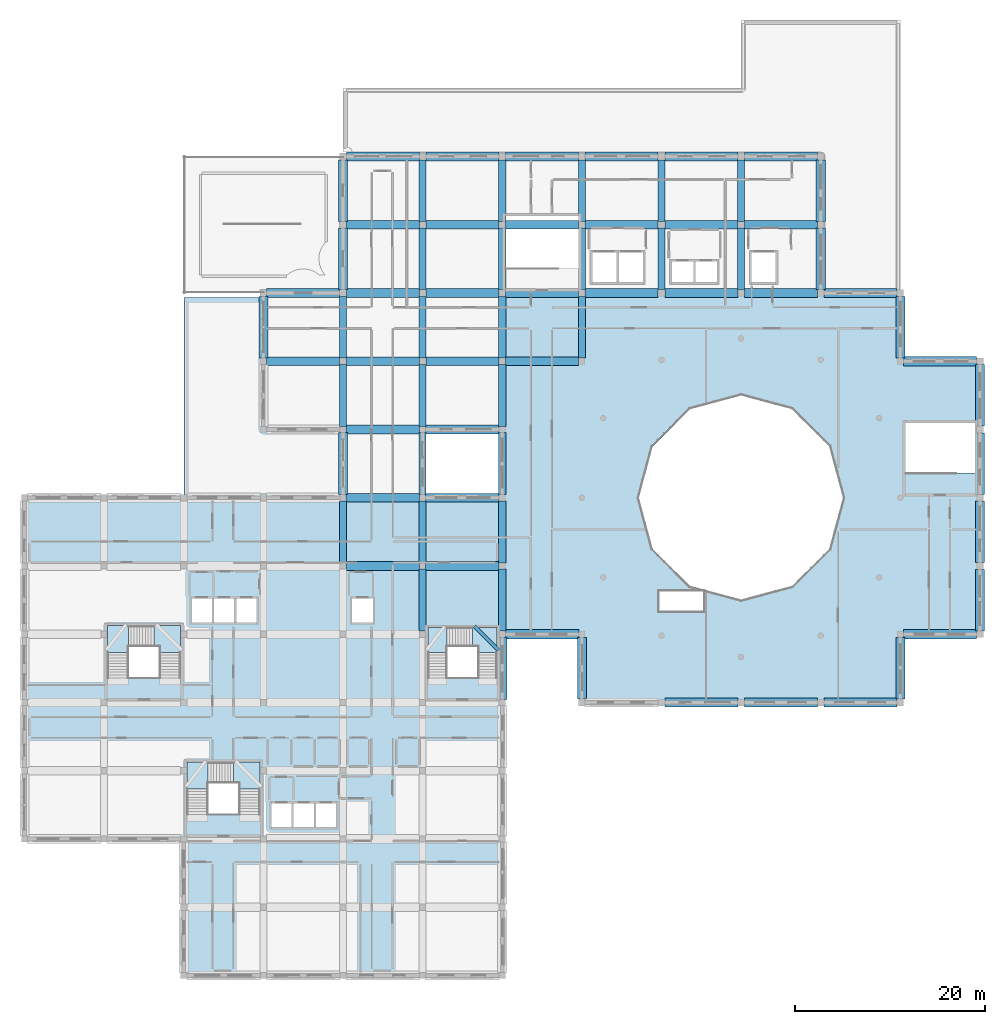
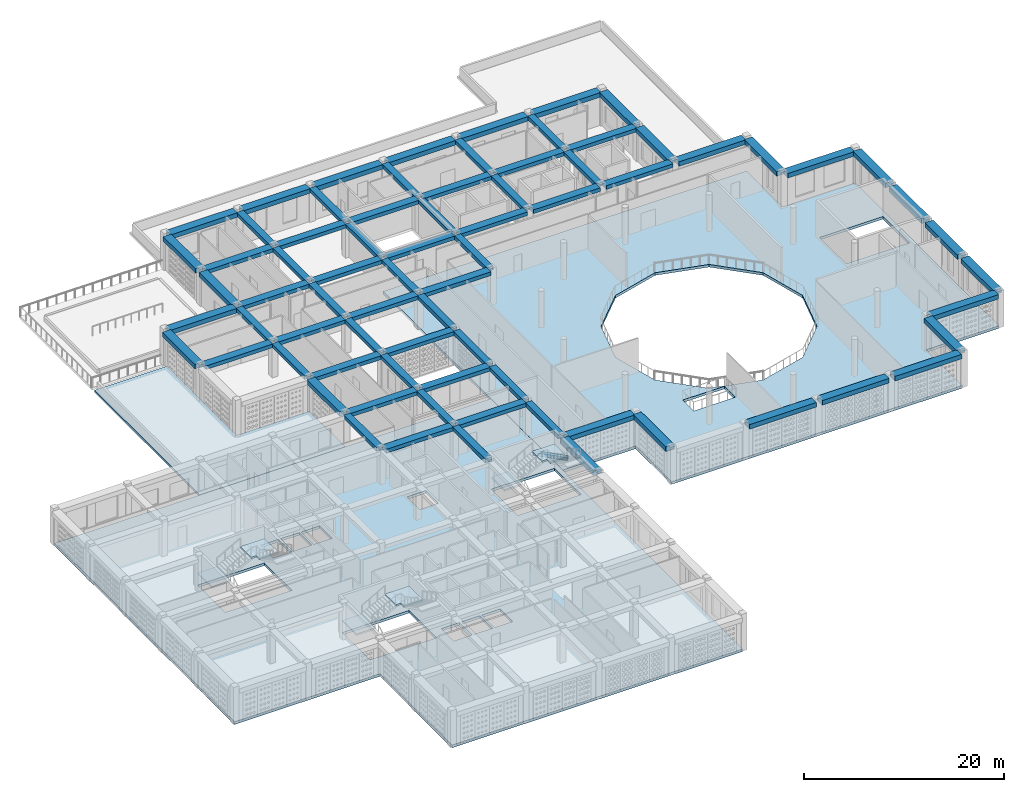
# One storey, part 2 of 47: 75 beams, 9 slabs, 3 elements without a shape of their own.
"""IFC4 building model written with IfcOpenShell, lengths in metres."""

from ifc_helpers import new_model, si_unit, derived_unit, direction, frame, origin, origin_2d, place, context, subcontext, project, spatial, polyline, rectangle, outline, extrude, material, layer, layer_set, material_profile, profile_set, type_object, element, aggregate, save


model = new_model("IFC4")

# Units and contexts
model_context = context("Model", 3, precision=1e-05, world=origin(), true_north=direction((0.0, 1.0)))
body_context = subcontext(model_context, "Body", "Model", "MODEL_VIEW")
ifc_project = project(units=[si_unit("LENGTHUNIT", "METRE"), si_unit("AREAUNIT", "SQUARE_METRE"), si_unit("VOLUMEUNIT", "CUBIC_METRE"), si_unit("PLANEANGLEUNIT", "RADIAN"), si_unit("MASSUNIT", "GRAM", prefix="KILO"), derived_unit("THERMALTRANSMITTANCEUNIT", [(si_unit("POWERUNIT", "WATT"), 1), (si_unit("LENGTHUNIT", "METRE"), -2), (si_unit("THERMODYNAMICTEMPERATUREUNIT", "KELVIN"), -1)])], contexts=[model_context])

# Site, building, storey
site_placement = place(None, origin())
site = spatial("IfcSite", under=ifc_project, at=site_placement, CompositionType="ELEMENT")
building_placement = place(site_placement, origin())
building = spatial("IfcBuilding", under=site, at=building_placement, Name="Veybourne Emporium", CompositionType="ELEMENT")
storey_placement = place(building_placement, frame((0.0, 0.0, 23.39990234375)))
storey = spatial("IfcBuildingStorey", under=building, at=storey_placement, Name="L05", CompositionType="ELEMENT", Elevation=23.39990234375)

# Beams
ifc_material = material(Name="Concrete C32/40", Category="concrete")
ifc_material_profile_1 = material_profile(ifc_material, rectangle(XDim=0.35009765625, YDim=0.35009765625, at=origin_2d()), Name="RC 350x350")
ifc_profile_set_1 = profile_set([ifc_material_profile_1], Name="Concrete C32/40")
beam_type_1 = type_object("IfcBeamType", Name="LandingBeam_LB-01", PredefinedType="BEAM", material=ifc_profile_set_1)
beam_1_placement = place(storey_placement, frame((47.469970703125, 36.85009765625, 2.625), z_axis=(0.707106781187, -0.707106781187, 0.0), x_axis=(0.707106781187, 0.707106781187, 0.0)))
element("IfcBeam", 1, at=beam_1_placement, inside=storey, type_object=beam_type_1, Name="L05 ST-05 landing 2 support beam", PredefinedType="BEAM", context=body_context, shape_type="SweptSolid", body=[
    extrude(rectangle(XDim=0.35009765625, YDim=0.35009765625, at=origin_2d()), origin(), (0.0, 0.0, 1.0), 3.577880859375),
])
ifc_material_profile_2 = material_profile(ifc_material, rectangle(XDim=0.89990234375, YDim=0.449951171875, at=origin_2d()), Name="RC 900x450")
ifc_profile_set_2 = profile_set([ifc_material_profile_2], Name="Concrete C32/40")
beam_type_2 = type_object("IfcBeamType", Name="RCBeam_BB-03", PredefinedType="BEAM", material=ifc_profile_set_2)
beam_2_placement = place(storey_placement, frame((25.550048828125, 64.800048828125, 3.985107421875), z_axis=(1.0, 0.0, 0.0), x_axis=(0.0, 1.0, 0.0)))
element("IfcBeam", 2, at=beam_2_placement, inside=storey, type_object=beam_type_2, Name="L05 X-grid beam BB-03 (3,9)", PredefinedType="BEAM", context=body_context, shape_type="SweptSolid", body=[
    extrude(rectangle(XDim=0.89990234375, YDim=0.449951171875, at=origin_2d()), origin(), (0.0, 0.0, 1.0), 7.699951171875),
])
for number, where, z_axis, x_axis, name in (
    (3, (33.925048828125, 43.199951171875, 3.985107421875), (1.0, 0.0, 0.0), (0.0, 1.0, 0.0), "L05 X-grid beam BB-03 (4,6)"),
    (4, (33.925048828125, 50.39990234375, 3.985107421875), (1.0, 0.0, 0.0), (0.0, 1.0, 0.0), "L05 X-grid beam BB-03 (4,7)"),
    (5, (33.925048828125, 57.60009765625, 3.985107421875), (1.0, 0.0, 0.0), (0.0, 1.0, 0.0), "L05 X-grid beam BB-03 (4,8)"),
):
    element("IfcBeam", number, at=place(storey_placement, frame(where, z_axis=z_axis, x_axis=x_axis)), inside=storey, type_object=beam_type_2, Name=name, PredefinedType="BEAM", context=body_context, shape_type="SweptSolid", body=[
        extrude(rectangle(XDim=0.89990234375, YDim=0.449951171875, at=origin_2d()), origin(), (0.0, 0.0, 1.0), 7.75),
    ])
for number, where, z_axis, x_axis, name in (
    (6, (33.949951171875, 64.800048828125, 3.985107421875), (1.0, 0.0, 0.0), (0.0, 1.0, 0.0), "L05 X-grid beam BB-03 (4,9)"),
    (7, (33.949951171875, 72.0, 3.985107421875), (1.0, 0.0, 0.0), (0.0, 1.0, 0.0), "L05 X-grid beam BB-03 (4,10)"),
    (8, (33.949951171875, 79.199951171875, 3.985107421875), (1.0, 0.0, 0.0), (0.0, 1.0, 0.0), "L05 X-grid beam BB-03 (4,11)"),
):
    element("IfcBeam", number, at=place(storey_placement, frame(where, z_axis=z_axis, x_axis=x_axis)), inside=storey, type_object=beam_type_2, Name=name, PredefinedType="BEAM", context=body_context, shape_type="SweptSolid", body=[
        extrude(rectangle(XDim=0.89990234375, YDim=0.449951171875, at=origin_2d()), origin(), (0.0, 0.0, 1.0), 7.699951171875),
    ])
for number, where, z_axis, x_axis, name in (
    (9, (42.324951171875, 43.199951171875, 3.985107421875), (1.0, 0.0, 0.0), (0.0, 1.0, 0.0), "L05 X-grid beam BB-03 (5,6)"),
    (10, (42.324951171875, 50.39990234375, 3.985107421875), (1.0, 0.0, 0.0), (0.0, 1.0, 0.0), "L05 X-grid beam BB-03 (5,7)"),
    (11, (42.324951171875, 57.60009765625, 3.985107421875), (1.0, 0.0, 0.0), (0.0, 1.0, 0.0), "L05 X-grid beam BB-03 (5,8)"),
):
    element("IfcBeam", number, at=place(storey_placement, frame(where, z_axis=z_axis, x_axis=x_axis)), inside=storey, type_object=beam_type_2, Name=name, PredefinedType="BEAM", context=body_context, shape_type="SweptSolid", body=[
        extrude(rectangle(XDim=0.89990234375, YDim=0.449951171875, at=origin_2d()), origin(), (0.0, 0.0, 1.0), 7.75),
    ])
for number, where, z_axis, x_axis, name in (
    (12, (42.35009765625, 64.800048828125, 3.985107421875), (1.0, 0.0, 0.0), (0.0, 1.0, 0.0), "L05 X-grid beam BB-03 (5,9)"),
    (13, (42.35009765625, 72.0, 3.985107421875), (1.0, 0.0, 0.0), (0.0, 1.0, 0.0), "L05 X-grid beam BB-03 (5,10)"),
    (14, (42.35009765625, 79.199951171875, 3.985107421875), (1.0, 0.0, 0.0), (0.0, 1.0, 0.0), "L05 X-grid beam BB-03 (5,11)"),
    (15, (50.75, 64.800048828125, 3.985107421875), (1.0, 0.0, 0.0), (0.0, 1.0, 0.0), "L05 X-grid beam BB-03 (6,9)"),
    (16, (50.75, 72.0, 3.985107421875), (1.0, 0.0, 0.0), (0.0, 1.0, 0.0), "L05 X-grid beam BB-03 (6,10)"),
    (17, (50.75, 79.199951171875, 3.985107421875), (1.0, 0.0, 0.0), (0.0, 1.0, 0.0), "L05 X-grid beam BB-03 (6,11)"),
):
    element("IfcBeam", number, at=place(storey_placement, frame(where, z_axis=z_axis, x_axis=x_axis)), inside=storey, type_object=beam_type_2, Name=name, PredefinedType="BEAM", context=body_context, shape_type="SweptSolid", body=[
        extrude(rectangle(XDim=0.89990234375, YDim=0.449951171875, at=origin_2d()), origin(), (0.0, 0.0, 1.0), 7.699951171875),
    ])
for number, where, z_axis, x_axis, name in (
    (18, (59.14990234375, 72.0, 3.985107421875), (1.0, 0.0, 0.0), (0.0, 1.0, 0.0), "L05 X-grid beam BB-03 (7,10)"),
    (19, (59.14990234375, 79.199951171875, 3.985107421875), (1.0, 0.0, 0.0), (0.0, 1.0, 0.0), "L05 X-grid beam BB-03 (7,11)"),
):
    element("IfcBeam", number, at=place(storey_placement, frame(where, z_axis=z_axis, x_axis=x_axis)), inside=storey, type_object=beam_type_2, Name=name, PredefinedType="BEAM", context=body_context, shape_type="SweptSolid", body=[
        extrude(rectangle(XDim=0.89990234375, YDim=0.449951171875, at=origin_2d()), origin(), (0.0, 0.0, 1.0), 7.7001953125),
    ])
for number, where, z_axis, x_axis, name in (
    (20, (67.550048828125, 72.0, 3.985107421875), (1.0, 0.0, 0.0), (0.0, 1.0, 0.0), "L05 X-grid beam BB-03 (8,10)"),
    (21, (67.550048828125, 79.199951171875, 3.985107421875), (1.0, 0.0, 0.0), (0.0, 1.0, 0.0), "L05 X-grid beam BB-03 (8,11)"),
    (22, (75.949951171875, 72.0, 3.985107421875), (1.0, 0.0, 0.0), (0.0, 1.0, 0.0), "L05 X-grid beam BB-03 (9,10)"),
    (23, (75.949951171875, 79.199951171875, 3.985107421875), (1.0, 0.0, 0.0), (0.0, 1.0, 0.0), "L05 X-grid beam BB-03 (9,11)"),
):
    element("IfcBeam", number, at=place(storey_placement, frame(where, z_axis=z_axis, x_axis=x_axis)), inside=storey, type_object=beam_type_2, Name=name, PredefinedType="BEAM", context=body_context, shape_type="SweptSolid", body=[
        extrude(rectangle(XDim=0.89990234375, YDim=0.449951171875, at=origin_2d()), origin(), (0.0, 0.0, 1.0), 7.699951171875),
    ])
ifc_material_profile_3 = material_profile(ifc_material, rectangle(XDim=0.75, YDim=0.449951171875, at=origin_2d()), Name="RC 750x450")
ifc_profile_set_3 = profile_set([ifc_material_profile_3], Name="Concrete C32/40")
beam_type_3 = type_object("IfcBeamType", Name="RCBeam_BB-04", PredefinedType="BEAM", material=ifc_profile_set_3)
beam_3_placement = place(storey_placement, frame((33.60009765625, 43.52490234375, 3.985107421875), z_axis=(0.0, 1.0, 0.0), x_axis=(-1.0, 0.0, 0.0)))
element("IfcBeam", 24, at=beam_3_placement, inside=storey, type_object=beam_type_3, Name="L05 Y-grid beam BB-04 (4,6)", PredefinedType="BEAM", context=body_context, shape_type="SweptSolid", body=[
    extrude(rectangle(XDim=0.75, YDim=0.449951171875, at=origin_2d()), origin(), (0.0, 0.0, 1.0), 6.550048828125),
])
beam_4_placement = place(storey_placement, frame((33.60009765625, 57.925048828125, 3.985107421875), z_axis=(0.0, 1.0, 0.0), x_axis=(-1.0, 0.0, 0.0)))
element("IfcBeam", 25, at=beam_4_placement, inside=storey, type_object=beam_type_3, Name="L05 Y-grid beam BB-04 (4,8)", PredefinedType="BEAM", context=body_context, shape_type="SweptSolid", body=[
    extrude(rectangle(XDim=0.75, YDim=0.449951171875, at=origin_2d()), origin(), (0.0, 0.0, 1.0), 6.52490234375),
])
beam_5_placement = place(storey_placement, frame((33.60009765625, 65.14990234375, 3.985107421875), z_axis=(0.0, 1.0, 0.0), x_axis=(-1.0, 0.0, 0.0)))
element("IfcBeam", 26, at=beam_5_placement, inside=storey, type_object=beam_type_3, Name="L05 Y-grid beam BB-04 (4,9)", PredefinedType="BEAM", context=body_context, shape_type="SweptSolid", body=[
    extrude(rectangle(XDim=0.75, YDim=0.449951171875, at=origin_2d()), origin(), (0.0, 0.0, 1.0), 6.5),
])
for number, where, z_axis, x_axis, name in (
    (27, (42.0, 36.324951171875, 3.985107421875), (0.0, 1.0, 0.0), (-1.0, 0.0, 0.0), "L05 Y-grid beam BB-04 (5,5)"),
    (28, (42.0, 43.52490234375, 3.985107421875), (0.0, 1.0, 0.0), (-1.0, 0.0, 0.0), "L05 Y-grid beam BB-04 (5,6)"),
):
    element("IfcBeam", number, at=place(storey_placement, frame(where, z_axis=z_axis, x_axis=x_axis)), inside=storey, type_object=beam_type_3, Name=name, PredefinedType="BEAM", context=body_context, shape_type="SweptSolid", body=[
        extrude(rectangle(XDim=0.75, YDim=0.449951171875, at=origin_2d()), origin(), (0.0, 0.0, 1.0), 6.550048828125),
    ])
beam_6_placement = place(storey_placement, frame((42.0, 50.72509765625, 3.985107421875), z_axis=(0.0, 1.0, 0.0), x_axis=(-1.0, 0.0, 0.0)))
element("IfcBeam", 29, at=beam_6_placement, inside=storey, type_object=beam_type_3, Name="L05 Y-grid beam BB-04 (5,7)", PredefinedType="BEAM", context=body_context, shape_type="SweptSolid", body=[
    extrude(rectangle(XDim=0.75, YDim=0.449951171875, at=origin_2d()), origin(), (0.0, 0.0, 1.0), 6.5498046875),
])
beam_7_placement = place(storey_placement, frame((42.0, 57.925048828125, 3.985107421875), z_axis=(0.0, 1.0, 0.0), x_axis=(-1.0, 0.0, 0.0)))
element("IfcBeam", 30, at=beam_7_placement, inside=storey, type_object=beam_type_3, Name="L05 Y-grid beam BB-04 (5,8)", PredefinedType="BEAM", context=body_context, shape_type="SweptSolid", body=[
    extrude(rectangle(XDim=0.75, YDim=0.449951171875, at=origin_2d()), origin(), (0.0, 0.0, 1.0), 6.52490234375),
])
for number, where, z_axis, x_axis, name in (
    (31, (42.0, 65.14990234375, 3.985107421875), (0.0, 1.0, 0.0), (-1.0, 0.0, 0.0), "L05 Y-grid beam BB-04 (5,9)"),
    (32, (42.0, 72.35009765625, 3.985107421875), (0.0, 1.0, 0.0), (-1.0, 0.0, 0.0), "L05 Y-grid beam BB-04 (5,10)"),
    (33, (42.0, 79.550048828125, 3.985107421875), (0.0, 1.0, 0.0), (-1.0, 0.0, 0.0), "L05 Y-grid beam BB-04 (5,11)"),
):
    element("IfcBeam", number, at=place(storey_placement, frame(where, z_axis=z_axis, x_axis=x_axis)), inside=storey, type_object=beam_type_3, Name=name, PredefinedType="BEAM", context=body_context, shape_type="SweptSolid", body=[
        extrude(rectangle(XDim=0.75, YDim=0.449951171875, at=origin_2d()), origin(), (0.0, 0.0, 1.0), 6.5),
    ])
for number, where, z_axis, x_axis, name in (
    (34, (50.39990234375, 36.324951171875, 3.985107421875), (0.0, 1.0, 0.0), (-1.0, 0.0, 0.0), "L05 Y-grid beam BB-04 (6,5)"),
    (35, (50.39990234375, 43.52490234375, 3.985107421875), (0.0, 1.0, 0.0), (-1.0, 0.0, 0.0), "L05 Y-grid beam BB-04 (6,6)"),
):
    element("IfcBeam", number, at=place(storey_placement, frame(where, z_axis=z_axis, x_axis=x_axis)), inside=storey, type_object=beam_type_3, Name=name, PredefinedType="BEAM", context=body_context, shape_type="SweptSolid", body=[
        extrude(rectangle(XDim=0.75, YDim=0.449951171875, at=origin_2d()), origin(), (0.0, 0.0, 1.0), 6.550048828125),
    ])
beam_8_placement = place(storey_placement, frame((50.39990234375, 50.72509765625, 3.985107421875), z_axis=(0.0, 1.0, 0.0), x_axis=(-1.0, 0.0, 0.0)))
element("IfcBeam", 36, at=beam_8_placement, inside=storey, type_object=beam_type_3, Name="L05 Y-grid beam BB-04 (6,7)", PredefinedType="BEAM", context=body_context, shape_type="SweptSolid", body=[
    extrude(rectangle(XDim=0.75, YDim=0.449951171875, at=origin_2d()), origin(), (0.0, 0.0, 1.0), 6.5498046875),
])
beam_9_placement = place(storey_placement, frame((50.39990234375, 57.925048828125, 3.985107421875), z_axis=(0.0, 1.0, 0.0), x_axis=(-1.0, 0.0, 0.0)))
element("IfcBeam", 37, at=beam_9_placement, inside=storey, type_object=beam_type_3, Name="L05 Y-grid beam BB-04 (6,8)", PredefinedType="BEAM", context=body_context, shape_type="SweptSolid", body=[
    extrude(rectangle(XDim=0.75, YDim=0.449951171875, at=origin_2d()), origin(), (0.0, 0.0, 1.0), 6.52490234375),
])
for number, where, z_axis, x_axis, name in (
    (38, (50.39990234375, 65.14990234375, 3.985107421875), (0.0, 1.0, 0.0), (-1.0, 0.0, 0.0), "L05 Y-grid beam BB-04 (6,9)"),
    (39, (50.39990234375, 72.35009765625, 3.985107421875), (0.0, 1.0, 0.0), (-1.0, 0.0, 0.0), "L05 Y-grid beam BB-04 (6,10)"),
    (40, (50.39990234375, 79.550048828125, 3.985107421875), (0.0, 1.0, 0.0), (-1.0, 0.0, 0.0), "L05 Y-grid beam BB-04 (6,11)"),
    (41, (58.800048828125, 65.14990234375, 3.985107421875), (0.0, 1.0, 0.0), (-1.0, 0.0, 0.0), "L05 Y-grid beam BB-04 (7,9)"),
    (42, (58.800048828125, 72.35009765625, 3.985107421875), (0.0, 1.0, 0.0), (-1.0, 0.0, 0.0), "L05 Y-grid beam BB-04 (7,10)"),
    (43, (58.800048828125, 79.550048828125, 3.985107421875), (0.0, 1.0, 0.0), (-1.0, 0.0, 0.0), "L05 Y-grid beam BB-04 (7,11)"),
    (44, (67.199951171875, 72.35009765625, 3.985107421875), (0.0, 1.0, 0.0), (-1.0, 0.0, 0.0), "L05 Y-grid beam BB-04 (8,10)"),
    (45, (67.199951171875, 79.550048828125, 3.985107421875), (0.0, 1.0, 0.0), (-1.0, 0.0, 0.0), "L05 Y-grid beam BB-04 (8,11)"),
    (46, (75.60009765625, 72.35009765625, 3.985107421875), (0.0, 1.0, 0.0), (-1.0, 0.0, 0.0), "L05 Y-grid beam BB-04 (9,10)"),
    (47, (75.60009765625, 79.550048828125, 3.985107421875), (0.0, 1.0, 0.0), (-1.0, 0.0, 0.0), "L05 Y-grid beam BB-04 (9,11)"),
):
    element("IfcBeam", number, at=place(storey_placement, frame(where, z_axis=z_axis, x_axis=x_axis)), inside=storey, type_object=beam_type_3, Name=name, PredefinedType="BEAM", context=body_context, shape_type="SweptSolid", body=[
        extrude(rectangle(XDim=0.75, YDim=0.449951171875, at=origin_2d()), origin(), (0.0, 0.0, 1.0), 6.5),
    ])
ifc_material_profile_4 = material_profile(ifc_material, rectangle(XDim=0.949951171875, YDim=0.550048828125, at=origin_2d()), Name="RC 950x550")
ifc_profile_set_4 = profile_set([ifc_material_profile_4], Name="Concrete C32/40")
beam_type_4 = type_object("IfcBeamType", Name="RCBeam_EB-01", PredefinedType="SPANDREL", material=ifc_profile_set_4)
for number, where, z_axis, x_axis, name in (
    (48, (25.550048828125, 72.0, 3.93505859375), (1.0, 0.0, 0.0), (0.0, 1.0, 0.0), "L05 X-grid beam EB-01 (3,10)"),
    (49, (33.949951171875, 86.39990234375, 3.93505859375), (1.0, 0.0, 0.0), (0.0, 1.0, 0.0), "L05 X-grid beam EB-01 (4,12)"),
    (50, (42.35009765625, 86.39990234375, 3.93505859375), (1.0, 0.0, 0.0), (0.0, 1.0, 0.0), "L05 X-grid beam EB-01 (5,12)"),
):
    element("IfcBeam", number, at=place(storey_placement, frame(where, z_axis=z_axis, x_axis=x_axis)), inside=storey, type_object=beam_type_4, Name=name, PredefinedType="SPANDREL", context=body_context, shape_type="SweptSolid", body=[
        extrude(rectangle(XDim=0.949951171875, YDim=0.550048828125, at=origin_2d()), origin(), (0.0, 0.0, 1.0), 7.699951171875),
    ])
beam_10_placement = place(storey_placement, frame((50.72509765625, 36.0, 3.93505859375), z_axis=(1.0, 0.0, 0.0), x_axis=(0.0, 1.0, 0.0)))
element("IfcBeam", 51, at=beam_10_placement, inside=storey, type_object=beam_type_4, Name="L05 X-grid beam EB-01 (6,5)", PredefinedType="SPANDREL", context=body_context, shape_type="SweptSolid", body=[
    extrude(rectangle(XDim=0.949951171875, YDim=0.550048828125, at=origin_2d()), origin(), (0.0, 0.0, 1.0), 7.75),
])
beam_11_placement = place(storey_placement, frame((50.75, 86.39990234375, 3.93505859375), z_axis=(1.0, 0.0, 0.0), x_axis=(0.0, 1.0, 0.0)))
element("IfcBeam", 52, at=beam_11_placement, inside=storey, type_object=beam_type_4, Name="L05 X-grid beam EB-01 (6,12)", PredefinedType="SPANDREL", context=body_context, shape_type="SweptSolid", body=[
    extrude(rectangle(XDim=0.949951171875, YDim=0.550048828125, at=origin_2d()), origin(), (0.0, 0.0, 1.0), 7.699951171875),
])
beam_12_placement = place(storey_placement, frame((59.14990234375, 86.39990234375, 3.93505859375), z_axis=(1.0, 0.0, 0.0), x_axis=(0.0, 1.0, 0.0)))
element("IfcBeam", 53, at=beam_12_placement, inside=storey, type_object=beam_type_4, Name="L05 X-grid beam EB-01 (7,12)", PredefinedType="SPANDREL", context=body_context, shape_type="SweptSolid", body=[
    extrude(rectangle(XDim=0.949951171875, YDim=0.550048828125, at=origin_2d()), origin(), (0.0, 0.0, 1.0), 7.7001953125),
])
for number, where, z_axis, x_axis, name in (
    (54, (67.550048828125, 28.800048828125, 3.93505859375), (1.0, 0.0, 0.0), (0.0, 1.0, 0.0), "L05 X-grid beam EB-01 (8,4)"),
    (55, (67.550048828125, 86.39990234375, 3.93505859375), (1.0, 0.0, 0.0), (0.0, 1.0, 0.0), "L05 X-grid beam EB-01 (8,12)"),
    (56, (75.949951171875, 28.800048828125, 3.93505859375), (1.0, 0.0, 0.0), (0.0, 1.0, 0.0), "L05 X-grid beam EB-01 (9,4)"),
    (57, (75.949951171875, 86.39990234375, 3.93505859375), (1.0, 0.0, 0.0), (0.0, 1.0, 0.0), "L05 X-grid beam EB-01 (9,12)"),
    (58, (84.35009765625, 28.800048828125, 3.93505859375), (1.0, 0.0, 0.0), (0.0, 1.0, 0.0), "L05 X-grid beam EB-01 (10,4)"),
    (59, (84.35009765625, 72.0, 3.93505859375), (1.0, 0.0, 0.0), (0.0, 1.0, 0.0), "L05 X-grid beam EB-01 (10,10)"),
    (60, (92.75, 36.0, 3.93505859375), (1.0, 0.0, 0.0), (0.0, 1.0, 0.0), "L05 X-grid beam EB-01 (11,5)"),
    (61, (92.75, 64.800048828125, 3.93505859375), (1.0, 0.0, 0.0), (0.0, 1.0, 0.0), "L05 X-grid beam EB-01 (11,9)"),
):
    element("IfcBeam", number, at=place(storey_placement, frame(where, z_axis=z_axis, x_axis=x_axis)), inside=storey, type_object=beam_type_4, Name=name, PredefinedType="SPANDREL", context=body_context, shape_type="SweptSolid", body=[
        extrude(rectangle(XDim=0.949951171875, YDim=0.550048828125, at=origin_2d()), origin(), (0.0, 0.0, 1.0), 7.699951171875),
    ])
beam_13_placement = place(storey_placement, frame((25.199951171875, 65.14990234375, 3.93505859375), z_axis=(0.0, 1.0, 0.0), x_axis=(-1.0, 0.0, 0.0)))
element("IfcBeam", 62, at=beam_13_placement, inside=storey, type_object=beam_type_4, Name="L05 Y-grid beam EB-01 (3,9)", PredefinedType="SPANDREL", context=body_context, shape_type="SweptSolid", body=[
    extrude(rectangle(XDim=0.949951171875, YDim=0.550048828125, at=origin_2d()), origin(), (0.0, 0.0, 1.0), 6.5),
])
beam_14_placement = place(storey_placement, frame((33.60009765625, 50.72509765625, 3.93505859375), z_axis=(0.0, 1.0, 0.0), x_axis=(-1.0, 0.0, 0.0)))
element("IfcBeam", 63, at=beam_14_placement, inside=storey, type_object=beam_type_4, Name="L05 Y-grid beam EB-01 (4,7)", PredefinedType="SPANDREL", context=body_context, shape_type="SweptSolid", body=[
    extrude(rectangle(XDim=0.949951171875, YDim=0.550048828125, at=origin_2d()), origin(), (0.0, 0.0, 1.0), 6.5498046875),
])
for number, where, z_axis, x_axis, name in (
    (64, (33.60009765625, 72.35009765625, 3.93505859375), (0.0, 1.0, 0.0), (-1.0, 0.0, 0.0), "L05 Y-grid beam EB-01 (4,10)"),
    (65, (33.60009765625, 79.550048828125, 3.93505859375), (0.0, 1.0, 0.0), (-1.0, 0.0, 0.0), "L05 Y-grid beam EB-01 (4,11)"),
):
    element("IfcBeam", number, at=place(storey_placement, frame(where, z_axis=z_axis, x_axis=x_axis)), inside=storey, type_object=beam_type_4, Name=name, PredefinedType="SPANDREL", context=body_context, shape_type="SweptSolid", body=[
        extrude(rectangle(XDim=0.949951171875, YDim=0.550048828125, at=origin_2d()), origin(), (0.0, 0.0, 1.0), 6.5),
    ])
beam_15_placement = place(storey_placement, frame((50.39990234375, 29.125, 3.93505859375), z_axis=(0.0, 1.0, 0.0), x_axis=(-1.0, 0.0, 0.0)))
element("IfcBeam", 66, at=beam_15_placement, inside=storey, type_object=beam_type_4, Name="L05 Y-grid beam EB-01 (6,4)", PredefinedType="SPANDREL", context=body_context, shape_type="SweptSolid", body=[
    extrude(rectangle(XDim=0.949951171875, YDim=0.550048828125, at=origin_2d()), origin(), (0.0, 0.0, 1.0), 6.550048828125),
])
beam_16_placement = place(storey_placement, frame((58.800048828125, 29.14990234375, 3.93505859375), z_axis=(0.0, 1.0, 0.0), x_axis=(-1.0, 0.0, 0.0)))
element("IfcBeam", 67, at=beam_16_placement, inside=storey, type_object=beam_type_4, Name="L05 Y-grid beam EB-01 (7,4)", PredefinedType="SPANDREL", context=body_context, shape_type="SweptSolid", body=[
    extrude(rectangle(XDim=0.949951171875, YDim=0.550048828125, at=origin_2d()), origin(), (0.0, 0.0, 1.0), 6.525146484375),
])
for number, where, z_axis, x_axis, name in (
    (68, (84.0, 72.35009765625, 3.93505859375), (0.0, 1.0, 0.0), (-1.0, 0.0, 0.0), "L05 Y-grid beam EB-01 (10,10)"),
    (69, (84.0, 79.550048828125, 3.93505859375), (0.0, 1.0, 0.0), (-1.0, 0.0, 0.0), "L05 Y-grid beam EB-01 (10,11)"),
    (70, (92.39990234375, 29.14990234375, 3.93505859375), (0.0, 1.0, 0.0), (-1.0, 0.0, 0.0), "L05 Y-grid beam EB-01 (11,4)"),
    (71, (92.39990234375, 65.14990234375, 3.93505859375), (0.0, 1.0, 0.0), (-1.0, 0.0, 0.0), "L05 Y-grid beam EB-01 (11,9)"),
    (72, (100.800048828125, 36.35009765625, 3.93505859375), (0.0, 1.0, 0.0), (-1.0, 0.0, 0.0), "L05 Y-grid beam EB-01 (12,5)"),
    (73, (100.800048828125, 43.550048828125, 3.93505859375), (0.0, 1.0, 0.0), (-1.0, 0.0, 0.0), "L05 Y-grid beam EB-01 (12,6)"),
    (74, (100.800048828125, 50.75, 3.93505859375), (0.0, 1.0, 0.0), (-1.0, 0.0, 0.0), "L05 Y-grid beam EB-01 (12,7)"),
    (75, (100.800048828125, 57.949951171875, 3.93505859375), (0.0, 1.0, 0.0), (-1.0, 0.0, 0.0), "L05 Y-grid beam EB-01 (12,8)"),
):
    element("IfcBeam", number, at=place(storey_placement, frame(where, z_axis=z_axis, x_axis=x_axis)), inside=storey, type_object=beam_type_4, Name=name, PredefinedType="SPANDREL", context=body_context, shape_type="SweptSolid", body=[
        extrude(rectangle(XDim=0.949951171875, YDim=0.550048828125, at=origin_2d()), origin(), (0.0, 0.0, 1.0), 6.5),
    ])

# Stair, slabs
stair_type_1 = type_object("IfcStairType", Name="Stair_ST-01-R30", PredefinedType="TWO_QUARTER_TURN_STAIR", material=ifc_material)
stair_1_placement = place(storey_placement, origin())
stair_1 = element("IfcStair", 76, at=stair_1_placement, inside=storey, type_object=stair_type_1, Name="L05 stair ST-01", PredefinedType="TWO_QUARTER_TURN_STAIR")
ifc_layer_1 = layer(ifc_material, 0.199951171875)
ifc_layer_set_1 = layer_set([ifc_layer_1], Name="Concrete C32/40")
slab_type_1 = type_object("IfcSlabType", Name="Landing_LDG-01", PredefinedType="LANDING", material=ifc_layer_set_1)
slab_1_placement = place(storey_placement, frame((0.0, 0.0, 1.300048828125)))
slab_1 = element("IfcSlab", 77, at=slab_1_placement, type_object=slab_type_1, Name="ST-01-R30 landing 1", PredefinedType="LANDING", context=body_context, shape_type="SweptSolid", body=[
    extrude(outline(polyline([(17.14990234375, 19.699951171875), (19.35009765625, 19.699951171875), (19.35009765625, 22.5), (17.14990234375, 22.5), (17.14990234375, 19.699951171875)])), origin(), (0.0, 0.0, 1.0), 0.199951171875),
])
slab_2_placement = place(storey_placement, frame((0.0, 0.0, 2.800048828125)))
slab_2 = element("IfcSlab", 78, at=slab_2_placement, type_object=slab_type_1, Name="ST-01-R30 landing 2", PredefinedType="LANDING", context=body_context, shape_type="SweptSolid", body=[
    extrude(outline(polyline([(22.050048828125, 20.300048828125), (22.64990234375, 20.300048828125), (22.64990234375, 19.699951171875), (24.85009765625, 19.699951171875), (24.85009765625, 22.5), (22.050048828125, 22.5), (22.050048828125, 20.300048828125)])), origin(), (0.0, 0.0, 1.0), 0.199951171875),
])
aggregate(stair_1, [slab_1, slab_2])

stair_type_2 = type_object("IfcStairType", Name="Stair_ST-02-R30", PredefinedType="TWO_QUARTER_TURN_STAIR", material=ifc_material)
stair_2_placement = place(storey_placement, origin())
stair_2 = element("IfcStair", 79, at=stair_2_placement, inside=storey, type_object=stair_type_2, Name="L05 stair ST-02", PredefinedType="TWO_QUARTER_TURN_STAIR")
slab_3_placement = place(storey_placement, frame((0.0, 0.0, 1.300048828125)))
slab_3 = element("IfcSlab", 80, at=slab_3_placement, type_object=slab_type_1, Name="ST-02-R30 landing 1", PredefinedType="LANDING", context=body_context, shape_type="SweptSolid", body=[
    extrude(outline(polyline([(8.75, 34.10009765625), (10.949951171875, 34.10009765625), (10.949951171875, 36.89990234375), (8.75, 36.89990234375), (8.75, 34.10009765625)])), origin(), (0.0, 0.0, 1.0), 0.199951171875),
])
slab_4_placement = place(storey_placement, frame((0.0, 0.0, 2.800048828125)))
slab_4 = element("IfcSlab", 81, at=slab_4_placement, type_object=slab_type_1, Name="ST-02-R30 landing 2", PredefinedType="LANDING", context=body_context, shape_type="SweptSolid", body=[
    extrude(outline(polyline([(13.64990234375, 34.699951171875), (14.25, 34.699951171875), (14.25, 34.10009765625), (16.449951171875, 34.10009765625), (16.449951171875, 36.89990234375), (13.64990234375, 36.89990234375), (13.64990234375, 34.699951171875)])), origin(), (0.0, 0.0, 1.0), 0.199951171875),
])
aggregate(stair_2, [slab_3, slab_4])

stair_type_3 = type_object("IfcStairType", Name="Stair_ST-05-R30", PredefinedType="TWO_QUARTER_TURN_STAIR", material=ifc_material)
stair_3_placement = place(storey_placement, origin())
stair_3 = element("IfcStair", 82, at=stair_3_placement, inside=storey, type_object=stair_type_3, Name="L05 stair ST-05", PredefinedType="TWO_QUARTER_TURN_STAIR")
slab_5_placement = place(storey_placement, frame((0.0, 0.0, 1.300048828125)))
slab_5 = element("IfcSlab", 83, at=slab_5_placement, type_object=slab_type_1, Name="ST-05-R30 landing 1", PredefinedType="LANDING", context=body_context, shape_type="SweptSolid", body=[
    extrude(outline(polyline([(42.550048828125, 34.10009765625), (44.550048828125, 34.10009765625), (44.550048828125, 36.699951171875), (42.550048828125, 36.699951171875), (42.550048828125, 34.10009765625)])), origin(), (0.0, 0.0, 1.0), 0.199951171875),
])
slab_6_placement = place(storey_placement, frame((0.0, 0.0, 2.800048828125)))
slab_6 = element("IfcSlab", 84, at=slab_6_placement, type_object=slab_type_1, Name="ST-05-R30 landing 2", PredefinedType="LANDING", context=body_context, shape_type="SweptSolid", body=[
    extrude(outline(polyline([(47.25, 34.699951171875), (47.85009765625, 34.699951171875), (47.85009765625, 34.10009765625), (49.85009765625, 34.10009765625), (49.85009765625, 36.699951171875), (47.25, 36.699951171875), (47.25, 34.699951171875)])), origin(), (0.0, 0.0, 1.0), 0.199951171875),
])
aggregate(stair_3, [slab_5, slab_6])

# Slabs
ifc_layer_2 = layer(ifc_material, 0.320068359375)
ifc_layer_set_2 = layer_set([ifc_layer_2], Name="Concrete C32/40")
slab_type_2 = type_object("IfcSlabType", Name="Slab_FS-02", PredefinedType="FLOOR", material=ifc_layer_set_2)
slab_7_placement = place(storey_placement, frame((0.0, 0.0, -0.31982421875)))
element("IfcSlab", 85, at=slab_7_placement, inside=storey, type_object=slab_type_2, Name="L05 floor slab FS-02 (V1.1)", PredefinedType="FLOOR", context=body_context, shape_type="SweptSolid", body=[
    extrude(outline(polyline([(0.0, 14.39990234375), (0.0, 21.60009765625), (0.0, 28.800048828125), (0.0, 36.0), (0.0, 43.199951171875), (0.0, 50.39990234375), (8.39990234375, 50.39990234375), (16.800048828125, 50.39990234375), (25.199951171875, 50.39990234375), (33.60009765625, 50.39990234375), (42.0, 50.39990234375), (50.39990234375, 50.39990234375), (50.39990234375, 43.199951171875), (50.39990234375, 36.0), (50.39990234375, 28.800048828125), (50.39990234375, 21.60009765625), (50.39990234375, 14.39990234375), (50.39990234375, 7.199951171875), (50.39990234375, 0.0), (42.0, 0.0), (33.60009765625, 0.0), (25.199951171875, 0.0), (16.800048828125, 0.0), (16.800048828125, 7.199951171875), (16.800048828125, 14.39990234375), (8.39990234375, 14.39990234375), (0.0, 14.39990234375)]), holes=[polyline([(28.159912109375, 15.64990234375), (28.159912109375, 18.14990234375), (26.06005859375, 18.14990234375), (26.06005859375, 15.64990234375), (28.159912109375, 15.64990234375)]), polyline([(30.52001953125, 15.64990234375), (30.52001953125, 18.14990234375), (28.39990234375, 18.14990234375), (28.39990234375, 15.64990234375), (30.52001953125, 15.64990234375)]), polyline([(32.8798828125, 15.64990234375), (32.8798828125, 18.14990234375), (30.760009765625, 18.14990234375), (30.760009765625, 15.64990234375), (32.8798828125, 15.64990234375)]), polyline([(24.85009765625, 17.0), (24.85009765625, 22.5), (17.14990234375, 22.5), (17.14990234375, 17.0), (24.85009765625, 17.0)]), polyline([(49.85009765625, 31.39990234375), (49.85009765625, 36.699951171875), (42.550048828125, 36.699951171875), (42.550048828125, 31.39990234375), (49.85009765625, 31.39990234375)]), polyline([(16.449951171875, 31.39990234375), (16.449951171875, 36.89990234375), (8.75, 36.89990234375), (8.75, 31.39990234375), (16.449951171875, 31.39990234375)]), polyline([(19.760009765625, 37.25), (19.760009765625, 39.75), (17.659912109375, 39.75), (17.659912109375, 37.25), (19.760009765625, 37.25)]), polyline([(20.0, 37.25), (22.1201171875, 37.25), (22.1201171875, 39.75), (20.0, 39.75), (20.0, 37.25)]), polyline([(22.360107421875, 37.25), (24.47998046875, 37.25), (24.47998046875, 39.75), (22.360107421875, 39.75), (22.360107421875, 37.25)]), polyline([(36.760009765625, 37.25), (36.760009765625, 39.75), (34.56005859375, 39.75), (34.56005859375, 37.25), (36.760009765625, 37.25)])]), origin(), (0.0, 0.0, 1.0), 0.31982421875),
])
slab_8_placement = place(storey_placement, frame((0.0, 0.0, -0.31982421875)))
element("IfcSlab", 86, at=slab_8_placement, inside=storey, type_object=slab_type_2, Name="L05 floor slab FS-02 (V2.1)", PredefinedType="FLOOR", context=body_context, shape_type="SweptSolid", body=[
    extrude(outline(polyline([(50.39990234375, 36.0), (50.39990234375, 43.199951171875), (50.39990234375, 50.39990234375), (50.39990234375, 57.60009765625), (50.39990234375, 64.800048828125), (50.39990234375, 72.0), (58.800048828125, 72.0), (67.199951171875, 72.0), (75.60009765625, 72.0), (84.0, 72.0), (92.39990234375, 72.0), (92.39990234375, 64.800048828125), (100.800048828125, 64.800048828125), (100.800048828125, 57.60009765625), (100.800048828125, 50.39990234375), (100.800048828125, 43.199951171875), (100.800048828125, 36.0), (92.39990234375, 36.0), (92.39990234375, 28.800048828125), (84.0, 28.800048828125), (75.60009765625, 28.800048828125), (67.199951171875, 28.800048828125), (58.800048828125, 28.800048828125), (58.800048828125, 36.0), (50.39990234375, 36.0)]), holes=[polyline([(71.699951171875, 38.38818359375), (71.699951171875, 40.588134765625), (66.89990234375, 40.588134765625), (66.89990234375, 38.38818359375), (71.699951171875, 38.38818359375)]), polyline([(75.60009765625, 39.60009765625), (81.0, 41.046875), (84.953125, 45.0), (86.39990234375, 50.39990234375), (84.953125, 55.800048828125), (81.0, 59.753173828125), (75.60009765625, 61.199951171875), (70.199951171875, 59.753173828125), (66.246826171875, 55.800048828125), (64.800048828125, 50.39990234375), (66.246826171875, 45.0), (70.199951171875, 41.046875), (75.60009765625, 39.60009765625)]), polyline([(92.949951171875, 53.0), (100.25, 53.0), (100.25, 58.300048828125), (92.949951171875, 58.300048828125), (92.949951171875, 53.0)])]), origin(), (0.0, 0.0, 1.0), 0.31982421875),
])
ifc_layer_3 = layer(ifc_material, 0.260009765625)
ifc_layer_set_3 = layer_set([ifc_layer_3], Name="Concrete C32/40")
slab_type_3 = type_object("IfcSlabType", Name="Slab_RS-01", PredefinedType="ROOF", material=ifc_layer_set_3)
slab_9_placement = place(storey_placement, frame((0.0, 0.0, -0.260009765625)))
element("IfcSlab", 87, at=slab_9_placement, inside=storey, type_object=slab_type_3, Name="L05 flat roof slab 1", PredefinedType="ROOF", context=body_context, shape_type="SweptSolid", body=[
    extrude(outline(polyline([(25.199951171875, 64.800048828125), (25.199951171875, 57.60009765625), (33.60009765625, 57.60009765625), (33.60009765625, 50.39990234375), (25.199951171875, 50.39990234375), (16.800048828125, 50.39990234375), (16.800048828125, 57.60009765625), (16.800048828125, 64.800048828125), (16.800048828125, 71.5), (25.199951171875, 71.5), (25.199951171875, 64.800048828125)])), origin(), (0.0, 0.0, 1.0), 0.260009765625),
])

save(model, "model.ifc")
